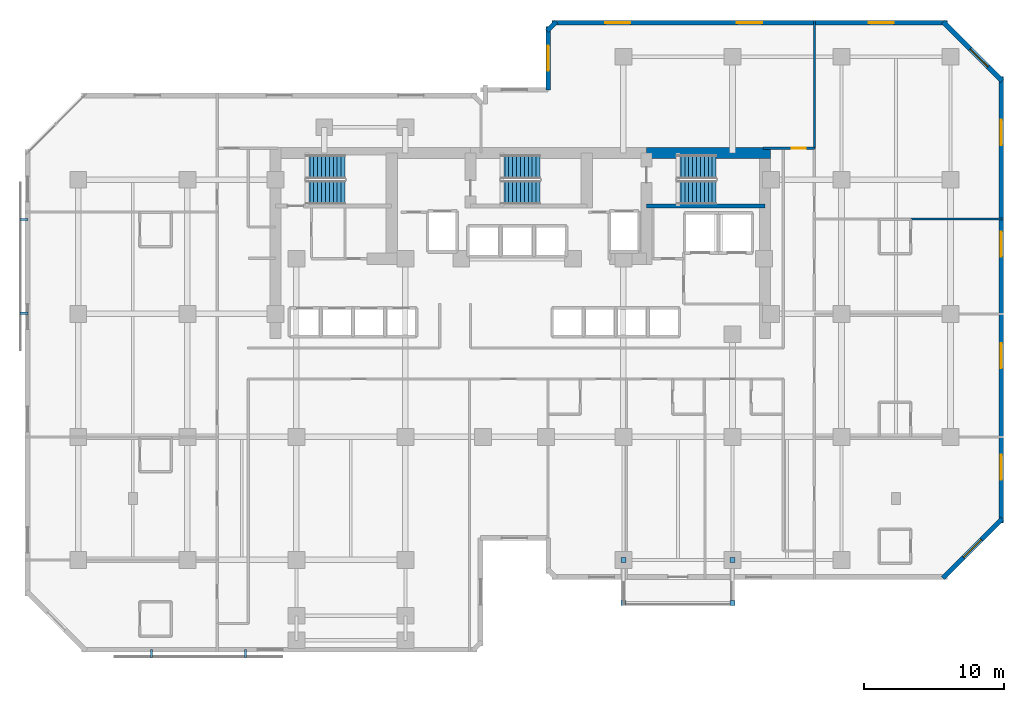
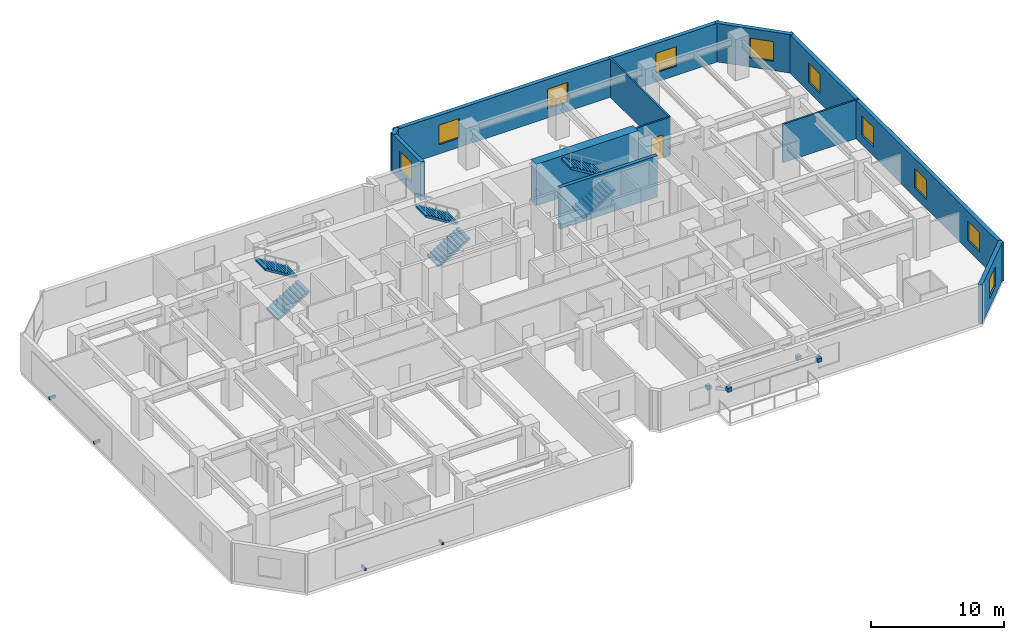
# One storey, part 10 of 12: 11 walls, 10 windows, 8 discrete accessories, 6 stair flights, 1 door, 11 openings, 3 elements without a shape of their own.
"""IFC4 building model written with IfcOpenShell, lengths in metres."""

from ifc_helpers import new_model, si_unit, direction, frame, frame_2d, origin, origin_2d, place, context, subcontext, project, spatial, polyline, rectangle, outline, extrude, material, layer, layer_set, type_object, element, fill, aggregate, save


model = new_model("IFC4")

# Units and contexts
model_context = context("Model", 3, precision=1e-05, world=origin(), true_north=direction((0.0, 1.0)))
body_context = subcontext(model_context, "Body", "Model", "MODEL_VIEW")
ifc_project = project(units=[si_unit("LENGTHUNIT", "METRE"), si_unit("AREAUNIT", "SQUARE_METRE"), si_unit("VOLUMEUNIT", "CUBIC_METRE"), si_unit("PLANEANGLEUNIT", "RADIAN"), si_unit("MASSUNIT", "GRAM", prefix="KILO")], contexts=[model_context])

# Site, building, storey
site_placement = place(None, origin())
site = spatial("IfcSite", under=ifc_project, at=site_placement, CompositionType="ELEMENT")
building_placement = place(site_placement, origin())
building = spatial("IfcBuilding", under=site, at=building_placement, Name="Kestravale Grand Hotel", CompositionType="ELEMENT")
storey_placement = place(building_placement, frame((0.0, 0.0, 118.39990234375)))
storey = spatial("IfcBuildingStorey", under=building, at=storey_placement, Name="L29", CompositionType="ELEMENT", Elevation=118.39990234375)

# Wall
ifc_material_1 = material(Name="Concrete f'c 60 MPa", Category="concrete")
ifc_layer_1 = layer(ifc_material_1, 0.800048828125)
ifc_layer_set_1 = layer_set([ifc_layer_1], Name="EW-CORE-800")
wall_type_1 = type_object("IfcWallType", Name="EW-CORE-800", PredefinedType="SHEAR", material=ifc_layer_set_1)
wall_1_placement = place(storey_placement, frame((48.449951171875, 40.320068359375, 0.0), z_axis=(0.0, 0.0, 1.0), x_axis=(1.0, 0.0, 0.0)))
element("IfcWall", 1, at=wall_1_placement, inside=storey, type_object=wall_type_1, Name="L29 core shear wall N3", PredefinedType="SHEAR", context=body_context, shape_type="SweptSolid", body=[
    extrude(rectangle(XDim=8.8701171875, YDim=0.800048828125, at=frame_2d((4.43505859375, 0.0))), origin(), (0.0, 0.0, 1.0), 3.800048828125),
])

# Wall, opening, window
ifc_material_2 = material(Name="Precast concrete f'c 45 MPa", Category="concrete")
ifc_layer_2 = layer(ifc_material_2, 0.340087890625)
ifc_layer_set_2 = layer_set([ifc_layer_2], Name="EW-PREC-340")
wall_type_2 = type_object("IfcWallType", Name="EW-PREC-340", PredefinedType="SOLIDWALL", material=ifc_layer_set_2)
wall_2_placement = place(storey_placement, frame((69.651611328125, 9.891845703125, 0.0), z_axis=(0.0, 0.0, 1.0), x_axis=(0.707106781187, 0.707106781187, 0.0)))
wall_2 = element("IfcWall", 2, at=wall_2_placement, inside=storey, type_object=wall_type_2, Name="L29 fluted precast facade wall 8", PredefinedType="SOLIDWALL", context=body_context, shape_type="SweptSolid", body=[
    extrude(rectangle(XDim=6.019775390625, YDim=0.340087890625, at=frame_2d((3.009765625, 0.0))), origin(), (0.0, 0.0, 1.0), 3.5400390625),
])
opening_1_placement = place(wall_2_placement, frame((2.10986328125, 0.0, 0.85009765625)))
opening_1 = element("IfcOpeningElement", 3, at=opening_1_placement, cuts=wall_2, Name="Opening W-GUEST-1800", PredefinedType="OPENING", context=body_context, shape_type="SweptSolid", body=[
    extrude(rectangle(XDim=1.800048828125, YDim=1.800048828125, at=frame_2d((0.89990234375, 0.89990234375))), frame((0.0, 0.179931640625, 0.0), z_axis=(0.0, -1.0, 0.0), x_axis=(1.0, 0.0, 0.0)), (0.0, 0.0, 1.0), 0.360107421875),
])
ifc_material_3 = material(Name="Insulated low-E double glazing in aluminium frame", Category="aluminium")
window_type = type_object("IfcWindowType", Name="W-GUEST-1800", PartitioningType="DOUBLE_PANEL_VERTICAL", PredefinedType="WINDOW", material=ifc_material_3)
window_1_placement = place(opening_1_placement, origin())
window_1 = element("IfcWindow", 4, at=window_1_placement, inside=storey, type_object=window_type, Name="L29 exterior window 8.1", OverallHeight=1.800048828125, OverallWidth=1.800048828125, PartitioningType="SINGLE_PANEL", PredefinedType="WINDOW", context=body_context, shape_type="SweptSolid", body=[
    extrude(rectangle(XDim=1.800048828125, YDim=1.800048828125, at=frame_2d((0.89990234375, 0.89990234375))), frame((0.0, 0.030029296875, 0.0), z_axis=(0.0, -1.0, 0.0), x_axis=(1.0, 0.0, 0.0)), (0.0, 0.0, 1.0), 0.06005859375),
])
fill(opening_1, window_1)

# Wall, openings, windows
wall_3_placement = place(storey_placement, frame((73.830078125, 13.830078125, 0.0), z_axis=(0.0, 0.0, 1.0), x_axis=(0.0, 1.0, 0.0)))
wall_3 = element("IfcWall", 5, at=wall_3_placement, inside=storey, type_object=wall_type_2, Name="L29 fluted precast facade wall 9", PredefinedType="SOLIDWALL", context=body_context, shape_type="SweptSolid", body=[
    extrude(rectangle(XDim=31.93994140625, YDim=0.340087890625, at=frame_2d((15.969970703125, 0.0))), origin(), (0.0, 0.0, 1.0), 3.5400390625),
])
opening_2_placement = place(wall_3_placement, frame((3.092529296875, 0.0, 0.85009765625)))
opening_2 = element("IfcOpeningElement", 6, at=opening_2_placement, cuts=wall_3, Name="Opening W-GUEST-1800", PredefinedType="OPENING", context=body_context, shape_type="SweptSolid", body=[
    extrude(rectangle(XDim=1.800048828125, YDim=1.800048828125, at=frame_2d((0.89990234375, 0.89990234375))), frame((0.0, 0.179931640625, 0.0), z_axis=(0.0, -1.0, 0.0), x_axis=(1.0, 0.0, 0.0)), (0.0, 0.0, 1.0), 0.360107421875),
])
opening_3_placement = place(wall_3_placement, frame((11.077392578125, 0.0, 0.85009765625)))
opening_3 = element("IfcOpeningElement", 7, at=opening_3_placement, cuts=wall_3, Name="Opening W-GUEST-1800", PredefinedType="OPENING", context=body_context, shape_type="SweptSolid", body=[
    extrude(rectangle(XDim=1.800048828125, YDim=1.800048828125, at=frame_2d((0.89990234375, 0.89990234375))), frame((0.0, 0.179931640625, 0.0), z_axis=(0.0, -1.0, 0.0), x_axis=(1.0, 0.0, 0.0)), (0.0, 0.0, 1.0), 0.360107421875),
])
opening_4_placement = place(wall_3_placement, frame((19.0625, 0.0, 0.85009765625)))
opening_4 = element("IfcOpeningElement", 8, at=opening_4_placement, cuts=wall_3, Name="Opening W-GUEST-1800", PredefinedType="OPENING", context=body_context, shape_type="SweptSolid", body=[
    extrude(rectangle(XDim=1.800048828125, YDim=1.800048828125, at=frame_2d((0.89990234375, 0.89990234375))), frame((0.0, 0.179931640625, 0.0), z_axis=(0.0, -1.0, 0.0), x_axis=(1.0, 0.0, 0.0)), (0.0, 0.0, 1.0), 0.360107421875),
])
opening_5_placement = place(wall_3_placement, frame((27.047607421875, 0.0, 0.85009765625)))
opening_5 = element("IfcOpeningElement", 9, at=opening_5_placement, cuts=wall_3, Name="Opening W-GUEST-1800", PredefinedType="OPENING", context=body_context, shape_type="SweptSolid", body=[
    extrude(rectangle(XDim=1.800048828125, YDim=1.800048828125, at=frame_2d((0.89990234375, 0.89990234375))), frame((0.0, 0.179931640625, 0.0), z_axis=(0.0, -1.0, 0.0), x_axis=(1.0, 0.0, 0.0)), (0.0, 0.0, 1.0), 0.360107421875),
])
window_2_placement = place(opening_2_placement, origin())
window_2 = element("IfcWindow", 10, at=window_2_placement, inside=storey, type_object=window_type, Name="L29 exterior window 9.1", OverallHeight=1.800048828125, OverallWidth=1.800048828125, PartitioningType="SINGLE_PANEL", PredefinedType="WINDOW", context=body_context, shape_type="SweptSolid", body=[
    extrude(rectangle(XDim=1.800048828125, YDim=1.800048828125, at=frame_2d((0.89990234375, 0.89990234375))), frame((0.0, 0.030029296875, 0.0), z_axis=(0.0, -1.0, 0.0), x_axis=(1.0, 0.0, 0.0)), (0.0, 0.0, 1.0), 0.06005859375),
])
fill(opening_2, window_2)
window_3_placement = place(opening_3_placement, origin())
window_3 = element("IfcWindow", 11, at=window_3_placement, inside=storey, type_object=window_type, Name="L29 exterior window 9.2", OverallHeight=1.800048828125, OverallWidth=1.800048828125, PartitioningType="SINGLE_PANEL", PredefinedType="WINDOW", context=body_context, shape_type="SweptSolid", body=[
    extrude(rectangle(XDim=1.800048828125, YDim=1.800048828125, at=frame_2d((0.89990234375, 0.89990234375))), frame((0.0, 0.030029296875, 0.0), z_axis=(0.0, -1.0, 0.0), x_axis=(1.0, 0.0, 0.0)), (0.0, 0.0, 1.0), 0.06005859375),
])
fill(opening_3, window_3)
window_4_placement = place(opening_4_placement, origin())
window_4 = element("IfcWindow", 12, at=window_4_placement, inside=storey, type_object=window_type, Name="L29 exterior window 9.3", OverallHeight=1.800048828125, OverallWidth=1.800048828125, PartitioningType="SINGLE_PANEL", PredefinedType="WINDOW", context=body_context, shape_type="SweptSolid", body=[
    extrude(rectangle(XDim=1.800048828125, YDim=1.800048828125, at=frame_2d((0.89990234375, 0.89990234375))), frame((0.0, 0.030029296875, 0.0), z_axis=(0.0, -1.0, 0.0), x_axis=(1.0, 0.0, 0.0)), (0.0, 0.0, 1.0), 0.06005859375),
])
fill(opening_4, window_4)
window_5_placement = place(opening_5_placement, origin())
window_5 = element("IfcWindow", 13, at=window_5_placement, inside=storey, type_object=window_type, Name="L29 exterior window 9.4", OverallHeight=1.800048828125, OverallWidth=1.800048828125, PartitioningType="SINGLE_PANEL", PredefinedType="WINDOW", context=body_context, shape_type="SweptSolid", body=[
    extrude(rectangle(XDim=1.800048828125, YDim=1.800048828125, at=frame_2d((0.89990234375, 0.89990234375))), frame((0.0, 0.030029296875, 0.0), z_axis=(0.0, -1.0, 0.0), x_axis=(1.0, 0.0, 0.0)), (0.0, 0.0, 1.0), 0.06005859375),
])
fill(opening_5, window_5)

# Wall, opening, window
wall_4_placement = place(storey_placement, frame((73.908203125, 45.451416015625, 0.0), z_axis=(0.0, 0.0, 1.0), x_axis=(-0.707106781187, 0.707106781187, 0.0)))
wall_4 = element("IfcWall", 14, at=wall_4_placement, inside=storey, type_object=wall_type_2, Name="L29 fluted precast facade wall 10", PredefinedType="SOLIDWALL", context=body_context, shape_type="SweptSolid", body=[
    extrude(rectangle(XDim=6.019775390625, YDim=0.340087890625, at=frame_2d((3.009765625, 0.0))), origin(), (0.0, 0.0, 1.0), 3.5400390625),
])
opening_6_placement = place(wall_4_placement, frame((1.4599609375, 0.0, 0.85009765625)))
opening_6 = element("IfcOpeningElement", 15, at=opening_6_placement, cuts=wall_4, Name="Opening W-GUEST-1800", PredefinedType="OPENING", context=body_context, shape_type="SweptSolid", body=[
    extrude(rectangle(XDim=1.800048828125, YDim=1.800048828125, at=frame_2d((0.89990234375, 0.89990234375))), frame((0.0, 0.179931640625, 0.0), z_axis=(0.0, -1.0, 0.0), x_axis=(1.0, 0.0, 0.0)), (0.0, 0.0, 1.0), 0.360107421875),
])
window_6_placement = place(opening_6_placement, origin())
window_6 = element("IfcWindow", 16, at=window_6_placement, inside=storey, type_object=window_type, Name="L29 exterior window 10.1", OverallHeight=1.800048828125, OverallWidth=1.800048828125, PartitioningType="SINGLE_PANEL", PredefinedType="WINDOW", context=body_context, shape_type="SweptSolid", body=[
    extrude(rectangle(XDim=1.800048828125, YDim=1.800048828125, at=frame_2d((0.89990234375, 0.89990234375))), frame((0.0, 0.030029296875, 0.0), z_axis=(0.0, -1.0, 0.0), x_axis=(1.0, 0.0, 0.0)), (0.0, 0.0, 1.0), 0.06005859375),
])
fill(opening_6, window_6)

# Wall, openings, windows
wall_5_placement = place(storey_placement, frame((69.969970703125, 49.6298828125, 0.0), z_axis=(0.0, 0.0, 1.0), x_axis=(-1.0, 0.0, 0.0)))
wall_5 = element("IfcWall", 17, at=wall_5_placement, inside=storey, type_object=wall_type_2, Name="L29 fluted precast facade wall 11", PredefinedType="SOLIDWALL", context=body_context, shape_type="SweptSolid", body=[
    extrude(rectangle(XDim=28.2900390625, YDim=0.340087890625, at=frame_2d((14.14501953125, 0.0))), origin(), (0.0, 0.0, 1.0), 3.5400390625),
])
opening_7_placement = place(wall_5_placement, frame((3.81494140625, 0.0, 0.85009765625)))
opening_7 = element("IfcOpeningElement", 18, at=opening_7_placement, cuts=wall_5, Name="Opening W-GUEST-1800", PredefinedType="OPENING", context=body_context, shape_type="SweptSolid", body=[
    extrude(rectangle(XDim=1.800048828125, YDim=1.800048828125, at=frame_2d((0.89990234375, 0.89990234375))), frame((0.0, 0.179931640625, 0.0), z_axis=(0.0, -1.0, 0.0), x_axis=(1.0, 0.0, 0.0)), (0.0, 0.0, 1.0), 0.360107421875),
])
opening_8_placement = place(wall_5_placement, frame((13.2451171875, 0.0, 0.85009765625)))
opening_8 = element("IfcOpeningElement", 19, at=opening_8_placement, cuts=wall_5, Name="Opening W-GUEST-1800", PredefinedType="OPENING", context=body_context, shape_type="SweptSolid", body=[
    extrude(rectangle(XDim=1.800048828125, YDim=1.800048828125, at=frame_2d((0.89990234375, 0.89990234375))), frame((0.0, 0.179931640625, 0.0), z_axis=(0.0, -1.0, 0.0), x_axis=(1.0, 0.0, 0.0)), (0.0, 0.0, 1.0), 0.360107421875),
])
opening_9_placement = place(wall_5_placement, frame((22.675048828125, 0.0, 0.85009765625)))
opening_9 = element("IfcOpeningElement", 20, at=opening_9_placement, cuts=wall_5, Name="Opening W-GUEST-1800", PredefinedType="OPENING", context=body_context, shape_type="SweptSolid", body=[
    extrude(rectangle(XDim=1.800048828125, YDim=1.800048828125, at=frame_2d((0.89990234375, 0.89990234375))), frame((0.0, 0.179931640625, 0.0), z_axis=(0.0, -1.0, 0.0), x_axis=(1.0, 0.0, 0.0)), (0.0, 0.0, 1.0), 0.360107421875),
])
window_7_placement = place(opening_7_placement, origin())
window_7 = element("IfcWindow", 21, at=window_7_placement, inside=storey, type_object=window_type, Name="L29 exterior window 11.1", OverallHeight=1.800048828125, OverallWidth=1.800048828125, PartitioningType="SINGLE_PANEL", PredefinedType="WINDOW", context=body_context, shape_type="SweptSolid", body=[
    extrude(rectangle(XDim=1.800048828125, YDim=1.800048828125, at=frame_2d((0.89990234375, 0.89990234375))), frame((0.0, 0.030029296875, 0.0), z_axis=(0.0, -1.0, 0.0), x_axis=(1.0, 0.0, 0.0)), (0.0, 0.0, 1.0), 0.06005859375),
])
fill(opening_7, window_7)
window_8_placement = place(opening_8_placement, origin())
window_8 = element("IfcWindow", 22, at=window_8_placement, inside=storey, type_object=window_type, Name="L29 exterior window 11.2", OverallHeight=1.800048828125, OverallWidth=1.800048828125, PartitioningType="SINGLE_PANEL", PredefinedType="WINDOW", context=body_context, shape_type="SweptSolid", body=[
    extrude(rectangle(XDim=1.800048828125, YDim=1.800048828125, at=frame_2d((0.89990234375, 0.89990234375))), frame((0.0, 0.030029296875, 0.0), z_axis=(0.0, -1.0, 0.0), x_axis=(1.0, 0.0, 0.0)), (0.0, 0.0, 1.0), 0.06005859375),
])
fill(opening_8, window_8)
window_9_placement = place(opening_9_placement, origin())
window_9 = element("IfcWindow", 23, at=window_9_placement, inside=storey, type_object=window_type, Name="L29 exterior window 11.3", OverallHeight=1.800048828125, OverallWidth=1.800048828125, PartitioningType="SINGLE_PANEL", PredefinedType="WINDOW", context=body_context, shape_type="SweptSolid", body=[
    extrude(rectangle(XDim=1.800048828125, YDim=1.800048828125, at=frame_2d((0.89990234375, 0.89990234375))), frame((0.0, 0.030029296875, 0.0), z_axis=(0.0, -1.0, 0.0), x_axis=(1.0, 0.0, 0.0)), (0.0, 0.0, 1.0), 0.06005859375),
])
fill(opening_9, window_9)

# Wall
wall_6_placement = place(storey_placement, frame((41.99853515625, 49.7080078125, 0.0), z_axis=(0.0, 0.0, 1.0), x_axis=(-0.707238225886, -0.706975312048, 0.0)))
element("IfcWall", 24, at=wall_6_placement, inside=storey, type_object=wall_type_2, Name="L29 fluted precast facade wall 12", PredefinedType="SOLIDWALL", context=body_context, shape_type="SweptSolid", body=[
    extrude(rectangle(XDim=0.9287109375, YDim=0.340087890625, at=frame_2d((0.46435546875, 0.0))), origin(), (0.0, 0.0, 1.0), 3.5400390625),
])

# Wall, opening, window
wall_7_placement = place(storey_placement, frame((41.419921875, 49.3701171875, 0.0), z_axis=(0.0, 0.0, 1.0), x_axis=(0.0, -1.0, 0.0)))
wall_7 = element("IfcWall", 25, at=wall_7_placement, inside=storey, type_object=wall_type_2, Name="L29 fluted precast facade wall 13", PredefinedType="SOLIDWALL", context=body_context, shape_type="SweptSolid", body=[
    extrude(rectangle(XDim=4.5400390625, YDim=0.340087890625, at=frame_2d((2.27001953125, 0.0))), origin(), (0.0, 0.0, 1.0), 3.5400390625),
])
opening_10_placement = place(wall_7_placement, frame((1.3701171875, 0.0, 0.85009765625)))
opening_10 = element("IfcOpeningElement", 26, at=opening_10_placement, cuts=wall_7, Name="Opening W-GUEST-1800", PredefinedType="OPENING", context=body_context, shape_type="SweptSolid", body=[
    extrude(rectangle(XDim=1.800048828125, YDim=1.800048828125, at=frame_2d((0.89990234375, 0.89990234375))), frame((0.0, 0.179931640625, 0.0), z_axis=(0.0, -1.0, 0.0), x_axis=(1.0, 0.0, 0.0)), (0.0, 0.0, 1.0), 0.360107421875),
])
window_10_placement = place(opening_10_placement, origin())
window_10 = element("IfcWindow", 27, at=window_10_placement, inside=storey, type_object=window_type, Name="L29 exterior window 13.1", OverallHeight=1.800048828125, OverallWidth=1.800048828125, PartitioningType="SINGLE_PANEL", PredefinedType="WINDOW", context=body_context, shape_type="SweptSolid", body=[
    extrude(rectangle(XDim=1.800048828125, YDim=1.800048828125, at=frame_2d((0.89990234375, 0.89990234375))), frame((0.0, 0.030029296875, 0.0), z_axis=(0.0, -1.0, 0.0), x_axis=(1.0, 0.0, 0.0)), (0.0, 0.0, 1.0), 0.06005859375),
])
fill(opening_10, window_10)

# Wall
ifc_material_4 = material(Name="Concrete f'c 45 MPa", Category="concrete")
ifc_layer_3 = layer(ifc_material_4, 0.300048828125)
ifc_layer_set_3 = layer_set([ifc_layer_3], Name="EW-STAIR-300")
wall_type_3 = type_object("IfcWallType", Name="EW-STAIR-300", PredefinedType="SHEAR", material=ifc_layer_set_3)
wall_8_placement = place(storey_placement, frame((48.449951171875, 36.52001953125, 0.0), z_axis=(0.0, 0.0, 1.0), x_axis=(1.0, 0.0, 0.0)))
element("IfcWall", 28, at=wall_8_placement, inside=storey, type_object=wall_type_3, Name="L29 stair enclosure shear wall SST3", PredefinedType="SHEAR", context=body_context, shape_type="SweptSolid", body=[
    extrude(rectangle(XDim=8.469970703125, YDim=0.300048828125, at=frame_2d((4.23486328125, 0.0))), origin(), (0.0, 0.0, 1.0), 3.800048828125),
])

# Wall, opening, door
ifc_material_5 = material(Name="Double-stud STC 52 acoustic demising partition", Category="other")
ifc_layer_4 = layer(ifc_material_5, 0.14990234375)
ifc_layer_set_4 = layer_set([ifc_layer_4], Name="IW-UNIT-150")
wall_type_4 = type_object("IfcWallType", Name="IW-UNIT-150", PredefinedType="PARTITIONING", material=ifc_layer_set_4)
wall_9_placement = place(storey_placement, frame((56.800048828125, 40.64990234375, 0.0), z_axis=(0.0, 0.0, 1.0), x_axis=(1.0, 0.0, 0.0)))
wall_9 = element("IfcWall", 29, at=wall_9_placement, inside=storey, type_object=wall_type_4, Name="W-L29-SE-N", PredefinedType="PARTITIONING", context=body_context, shape_type="SweptSolid", body=[
    extrude(rectangle(XDim=3.659912109375, YDim=0.14990234375, at=frame_2d((1.830078125, 0.0))), origin(), (0.0, 0.0, 1.0), 3.5400390625),
])
opening_11_placement = place(wall_9_placement, frame((2.050048828125, 0.0, 0.0)))
opening_11 = element("IfcOpeningElement", 30, at=opening_11_placement, cuts=wall_9, Name="Opening D-GUEST-1000", PredefinedType="OPENING", context=body_context, shape_type="SweptSolid", body=[
    extrude(rectangle(XDim=1.0, YDim=2.14990234375, at=frame_2d((0.5, 1.074951171875))), frame((0.0, 0.0849609375, 0.0), z_axis=(0.0, -1.0, 0.0), x_axis=(1.0, 0.0, 0.0)), (0.0, 0.0, 1.0), 0.169921875),
])
ifc_material_6 = material(Name="Accessible walnut veneer hotel entrance fire door", Category="wood")
door_type = type_object("IfcDoorType", Name="D-GUEST-1000", OperationType="NOTDEFINED", PredefinedType="DOOR", material=ifc_material_6)
door_placement = place(opening_11_placement, origin())
door = element("IfcDoor", 31, at=door_placement, inside=storey, type_object=door_type, Name="L29 NE Gallery Door", OperationType="SINGLE_SWING_LEFT", OverallHeight=2.14990234375, OverallWidth=1.0, PredefinedType="DOOR", context=body_context, shape_type="SweptSolid", body=[
    extrude(rectangle(XDim=1.0, YDim=2.14990234375, at=frame_2d((0.5, 1.074951171875))), frame((0.0, 0.02490234375, 0.0), z_axis=(0.0, -1.0, 0.0), x_axis=(1.0, 0.0, 0.0)), (0.0, 0.0, 1.0), 0.050048828125),
])
fill(opening_11, door)

# Walls
wall_10_placement = place(storey_placement, frame((60.4599609375, 40.64990234375, 0.0), z_axis=(0.0, 0.0, 1.0), x_axis=(0.0, 1.0, 0.0)))
element("IfcWall", 32, at=wall_10_placement, inside=storey, type_object=wall_type_4, Name="W-L29-NGE-E", PredefinedType="PARTITIONING", context=body_context, shape_type="SweptSolid", body=[
    extrude(rectangle(XDim=9.130126953125, YDim=0.14990234375, at=frame_2d((4.56494140625, 0.0))), origin(), (0.0, 0.0, 1.0), 3.5400390625),
])
wall_11_placement = place(storey_placement, frame((67.35009765625, 35.60009765625, 0.0), z_axis=(0.0, 0.0, 1.0), x_axis=(1.0, 0.0, 0.0)))
element("IfcWall", 33, at=wall_11_placement, inside=storey, type_object=wall_type_4, Name="W-L29-EW-3", PredefinedType="PARTITIONING", context=body_context, shape_type="SweptSolid", body=[
    extrude(rectangle(XDim=6.6298828125, YDim=0.14990234375, at=frame_2d((3.31494140625, 0.0))), origin(), (0.0, 0.0, 1.0), 3.5400390625),
])

# Stair, stair flights
ifc_material_7 = material(Name="Concrete f'c 45 MPa", Category="concrete")
stair_type = type_object("IfcStairType", Name="ST-CORE-380", PredefinedType="HALF_TURN_STAIR", material=ifc_material_7)
stair_1_placement = place(storey_placement, origin())
stair_1 = element("IfcStair", 34, at=stair_1_placement, inside=storey, type_object=stair_type, Name="L29 ST-1", PredefinedType="HALF_TURN_STAIR")
ifc_material_8 = material(Name="Concrete f'c 45 MPa", Category="concrete")
stair_flight_type = type_object("IfcStairFlightType", Name="STF-CORE-380", PredefinedType="STRAIGHT", material=ifc_material_8)
stair_flight_1_placement = place(storey_placement, frame((24.080078125, 37.489990234375, 0.0), z_axis=(0.0, 0.0, 1.0), x_axis=(1.0, 0.0, 0.0)))
stair_flight_1 = element("IfcStairFlight", 35, at=stair_flight_1_placement, type_object=stair_flight_type, Name="ST-1 flight 1", NumberOfRisers=11, NumberOfTreads=10, PredefinedType="STRAIGHT", RiserHeight=0.172727273, TreadLength=0.28, context=body_context, shape_type="SweptSolid", body=[
    extrude(outline(polyline([(0.0, 0.0), (0.0, 0.172607421875), (0.280029296875, 0.172607421875), (0.280029296875, 0.345458984375), (0.56005859375, 0.345458984375), (0.56005859375, 0.51806640625), (0.840087890625, 0.51806640625), (0.840087890625, 0.69091796875), (1.1201171875, 0.69091796875), (1.1201171875, 0.863525390625), (1.39990234375, 0.863525390625), (1.39990234375, 1.036376953125), (1.679931640625, 1.036376953125), (1.679931640625, 1.208984375), (1.9599609375, 1.208984375), (1.9599609375, 1.3818359375), (2.239990234375, 1.3818359375), (2.239990234375, 1.554443359375), (2.52001953125, 1.554443359375), (2.52001953125, 1.727294921875), (2.800048828125, 1.727294921875), (2.800048828125, 1.89990234375), (2.800048828125, 1.551025390625), (0.285400390625, 0.0), (0.0, 0.0)])), frame((0.0, 0.83984375, 0.0), z_axis=(0.0, -1.0, 0.0), x_axis=(1.0, 0.0, 0.0)), (0.0, 0.0, 1.0), 1.679931640625),
])
stair_flight_2_placement = place(storey_placement, frame((26.8798828125, 39.320068359375, 1.900146484375), z_axis=(0.0, 0.0, 1.0), x_axis=(-1.0, 0.0, 0.0)))
stair_flight_2 = element("IfcStairFlight", 36, at=stair_flight_2_placement, type_object=stair_flight_type, Name="ST-1 flight 2", NumberOfRisers=11, NumberOfTreads=10, PredefinedType="STRAIGHT", RiserHeight=0.172727273, TreadLength=0.28, context=body_context, shape_type="SweptSolid", body=[
    extrude(outline(polyline([(0.0, 0.0), (0.0, 0.172607421875), (0.280029296875, 0.172607421875), (0.280029296875, 0.345458984375), (0.56005859375, 0.345458984375), (0.56005859375, 0.51806640625), (0.840087890625, 0.51806640625), (0.840087890625, 0.69091796875), (1.1201171875, 0.69091796875), (1.1201171875, 0.863525390625), (1.39990234375, 0.863525390625), (1.39990234375, 1.036376953125), (1.679931640625, 1.036376953125), (1.679931640625, 1.208984375), (1.9599609375, 1.208984375), (1.9599609375, 1.3818359375), (2.239990234375, 1.3818359375), (2.239990234375, 1.554443359375), (2.52001953125, 1.554443359375), (2.52001953125, 1.727294921875), (2.800048828125, 1.727294921875), (2.800048828125, 1.89990234375), (2.800048828125, 1.551025390625), (0.285400390625, 0.0), (0.0, 0.0)])), frame((0.0, 0.83984375, 0.0), z_axis=(0.0, -1.0, 0.0), x_axis=(1.0, 0.0, 0.0)), (0.0, 0.0, 1.0), 1.679931640625),
])
aggregate(stair_1, [stair_flight_1, stair_flight_2])

stair_2_placement = place(storey_placement, origin())
stair_2 = element("IfcStair", 37, at=stair_2_placement, inside=storey, type_object=stair_type, Name="L29 ST-2", PredefinedType="HALF_TURN_STAIR")
stair_flight_3_placement = place(storey_placement, frame((38.030029296875, 37.489990234375, 0.0), z_axis=(0.0, 0.0, 1.0), x_axis=(1.0, 0.0, 0.0)))
stair_flight_3 = element("IfcStairFlight", 38, at=stair_flight_3_placement, type_object=stair_flight_type, Name="ST-2 flight 1", NumberOfRisers=11, NumberOfTreads=10, PredefinedType="STRAIGHT", RiserHeight=0.172727273, TreadLength=0.28, context=body_context, shape_type="SweptSolid", body=[
    extrude(outline(polyline([(0.0, 0.0), (0.0, 0.172607421875), (0.280029296875, 0.172607421875), (0.280029296875, 0.345458984375), (0.56005859375, 0.345458984375), (0.56005859375, 0.51806640625), (0.840087890625, 0.51806640625), (0.840087890625, 0.69091796875), (1.1201171875, 0.69091796875), (1.1201171875, 0.863525390625), (1.39990234375, 0.863525390625), (1.39990234375, 1.036376953125), (1.679931640625, 1.036376953125), (1.679931640625, 1.208984375), (1.9599609375, 1.208984375), (1.9599609375, 1.3818359375), (2.239990234375, 1.3818359375), (2.239990234375, 1.554443359375), (2.52001953125, 1.554443359375), (2.52001953125, 1.727294921875), (2.800048828125, 1.727294921875), (2.800048828125, 1.89990234375), (2.800048828125, 1.551025390625), (0.285400390625, 0.0), (0.0, 0.0)])), frame((0.0, 0.83984375, 0.0), z_axis=(0.0, -1.0, 0.0), x_axis=(1.0, 0.0, 0.0)), (0.0, 0.0, 1.0), 1.679931640625),
])
stair_flight_4_placement = place(storey_placement, frame((40.830078125, 39.320068359375, 1.900146484375), z_axis=(0.0, 0.0, 1.0), x_axis=(-1.0, 0.0, 0.0)))
stair_flight_4 = element("IfcStairFlight", 39, at=stair_flight_4_placement, type_object=stair_flight_type, Name="ST-2 flight 2", NumberOfRisers=11, NumberOfTreads=10, PredefinedType="STRAIGHT", RiserHeight=0.172727273, TreadLength=0.28, context=body_context, shape_type="SweptSolid", body=[
    extrude(outline(polyline([(0.0, 0.0), (0.0, 0.172607421875), (0.280029296875, 0.172607421875), (0.280029296875, 0.345458984375), (0.56005859375, 0.345458984375), (0.56005859375, 0.51806640625), (0.840087890625, 0.51806640625), (0.840087890625, 0.69091796875), (1.1201171875, 0.69091796875), (1.1201171875, 0.863525390625), (1.39990234375, 0.863525390625), (1.39990234375, 1.036376953125), (1.679931640625, 1.036376953125), (1.679931640625, 1.208984375), (1.9599609375, 1.208984375), (1.9599609375, 1.3818359375), (2.239990234375, 1.3818359375), (2.239990234375, 1.554443359375), (2.52001953125, 1.554443359375), (2.52001953125, 1.727294921875), (2.800048828125, 1.727294921875), (2.800048828125, 1.89990234375), (2.800048828125, 1.551025390625), (0.285400390625, 0.0), (0.0, 0.0)])), frame((0.0, 0.83984375, 0.0), z_axis=(0.0, -1.0, 0.0), x_axis=(1.0, 0.0, 0.0)), (0.0, 0.0, 1.0), 1.679931640625),
])
aggregate(stair_2, [stair_flight_3, stair_flight_4])

stair_3_placement = place(storey_placement, origin())
stair_3 = element("IfcStair", 40, at=stair_3_placement, inside=storey, type_object=stair_type, Name="L29 ST-3", PredefinedType="HALF_TURN_STAIR")
stair_flight_5_placement = place(storey_placement, frame((50.6298828125, 37.489990234375, 0.0), z_axis=(0.0, 0.0, 1.0), x_axis=(1.0, 0.0, 0.0)))
stair_flight_5 = element("IfcStairFlight", 41, at=stair_flight_5_placement, type_object=stair_flight_type, Name="ST-3 flight 1", NumberOfRisers=11, NumberOfTreads=10, PredefinedType="STRAIGHT", RiserHeight=0.172727273, TreadLength=0.28, context=body_context, shape_type="SweptSolid", body=[
    extrude(outline(polyline([(0.0, 0.0), (0.0, 0.172607421875), (0.280029296875, 0.172607421875), (0.280029296875, 0.345458984375), (0.56005859375, 0.345458984375), (0.56005859375, 0.51806640625), (0.840087890625, 0.51806640625), (0.840087890625, 0.69091796875), (1.1201171875, 0.69091796875), (1.1201171875, 0.863525390625), (1.39990234375, 0.863525390625), (1.39990234375, 1.036376953125), (1.679931640625, 1.036376953125), (1.679931640625, 1.208984375), (1.9599609375, 1.208984375), (1.9599609375, 1.3818359375), (2.239990234375, 1.3818359375), (2.239990234375, 1.554443359375), (2.52001953125, 1.554443359375), (2.52001953125, 1.727294921875), (2.800048828125, 1.727294921875), (2.800048828125, 1.89990234375), (2.800048828125, 1.551025390625), (0.285400390625, 0.0), (0.0, 0.0)])), frame((0.0, 0.83984375, 0.0), z_axis=(0.0, -1.0, 0.0), x_axis=(1.0, 0.0, 0.0)), (0.0, 0.0, 1.0), 1.679931640625),
])
stair_flight_6_placement = place(storey_placement, frame((53.429931640625, 39.320068359375, 1.900146484375), z_axis=(0.0, 0.0, 1.0), x_axis=(-1.0, 0.0, 0.0)))
stair_flight_6 = element("IfcStairFlight", 42, at=stair_flight_6_placement, type_object=stair_flight_type, Name="ST-3 flight 2", NumberOfRisers=11, NumberOfTreads=10, PredefinedType="STRAIGHT", RiserHeight=0.172727273, TreadLength=0.28, context=body_context, shape_type="SweptSolid", body=[
    extrude(outline(polyline([(0.0, 0.0), (0.0, 0.172607421875), (0.280029296875, 0.172607421875), (0.280029296875, 0.345458984375), (0.56005859375, 0.345458984375), (0.56005859375, 0.51806640625), (0.840087890625, 0.51806640625), (0.840087890625, 0.69091796875), (1.1201171875, 0.69091796875), (1.1201171875, 0.863525390625), (1.39990234375, 0.863525390625), (1.39990234375, 1.036376953125), (1.679931640625, 1.036376953125), (1.679931640625, 1.208984375), (1.9599609375, 1.208984375), (1.9599609375, 1.3818359375), (2.239990234375, 1.3818359375), (2.239990234375, 1.554443359375), (2.52001953125, 1.554443359375), (2.52001953125, 1.727294921875), (2.800048828125, 1.727294921875), (2.800048828125, 1.89990234375), (2.800048828125, 1.551025390625), (0.285400390625, 0.0), (0.0, 0.0)])), frame((0.0, 0.83984375, 0.0), z_axis=(0.0, -1.0, 0.0), x_axis=(1.0, 0.0, 0.0)), (0.0, 0.0, 1.0), 1.679931640625),
])
aggregate(stair_3, [stair_flight_5, stair_flight_6])

# Discrete accessories
ifc_material_9 = material(Name="Steel ASTM A572 Grade 50 hot-dip galvanised bracket", Category="steel")
discrete_accessory_type = type_object("IfcDiscreteAccessoryType", Name="ACC-BRK-STL", PredefinedType="BRACKET", material=ifc_material_9)
for number, where, z_axis, x_axis, name in (
    (43, (46.800048828125, 11.199951171875, 1.19384765625), (0.0, 0.0, 1.0), (1.0, 0.0, 0.0), "L30 terrace strut column bracket 1"),
    (44, (46.800048828125, 8.10009765625, 2.89404296875), (0.0, 0.0, 1.0), (1.0, 0.0, 0.0), "L30 terrace strut beam bracket 1"),
    (45, (54.60009765625, 11.199951171875, 1.19384765625), (0.0, 0.0, 1.0), (1.0, 0.0, 0.0), "L30 terrace strut column bracket 2"),
    (46, (54.60009765625, 8.10009765625, 2.89404296875), (0.0, 0.0, 1.0), (1.0, 0.0, 0.0), "L30 terrace strut beam bracket 2"),
):
    element("IfcDiscreteAccessory", number, at=place(storey_placement, frame(where, z_axis=z_axis, x_axis=x_axis)), inside=storey, type_object=discrete_accessory_type, Name=name, PredefinedType="BRACKET", context=body_context, shape_type="SweptSolid", body=[
        extrude(rectangle(XDim=0.360107421875, YDim=0.360107421875, at=origin_2d()), origin(), (0.0, 0.0, 1.0), 0.360107421875),
    ])
for number, where, z_axis, x_axis, name in (
    (47, (13.0400390625, 4.5048828125, 0.56005859375), (0.0, 0.0, 1.0), (1.0, 0.0, 0.0), "L29 solar screen standoff bracket 1"),
    (48, (19.760009765625, 4.5048828125, 0.56005859375), (0.0, 0.0, 1.0), (1.0, 0.0, 0.0), "L29 solar screen standoff bracket 2"),
    (49, (3.905029296875, 35.56005859375, 0.56005859375), (0.0, 0.0, 1.0), (0.0, -1.0, 0.0), "L29 solar screen standoff bracket 1"),
    (50, (3.905029296875, 28.840087890625, 0.56005859375), (0.0, 0.0, 1.0), (0.0, -1.0, 0.0), "L29 solar screen standoff bracket 2"),
):
    element("IfcDiscreteAccessory", number, at=place(storey_placement, frame(where, z_axis=z_axis, x_axis=x_axis)), inside=storey, type_object=discrete_accessory_type, Name=name, PredefinedType="BRACKET", context=body_context, shape_type="SweptSolid", body=[
        extrude(rectangle(XDim=0.159912109375, YDim=0.56005859375, at=origin_2d()), origin(), (0.0, 0.0, 1.0), 0.239990234375),
    ])

save(model, "model.ifc")
